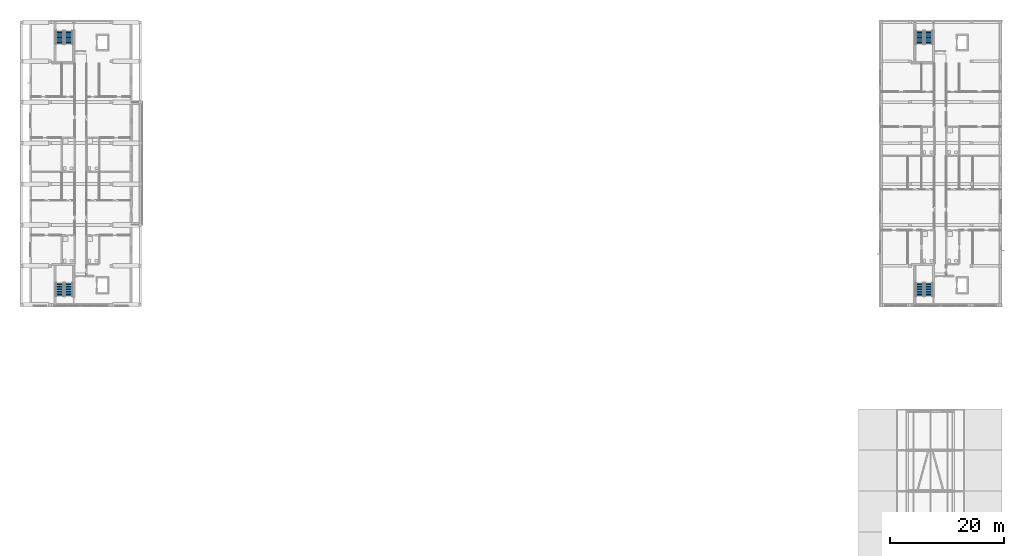
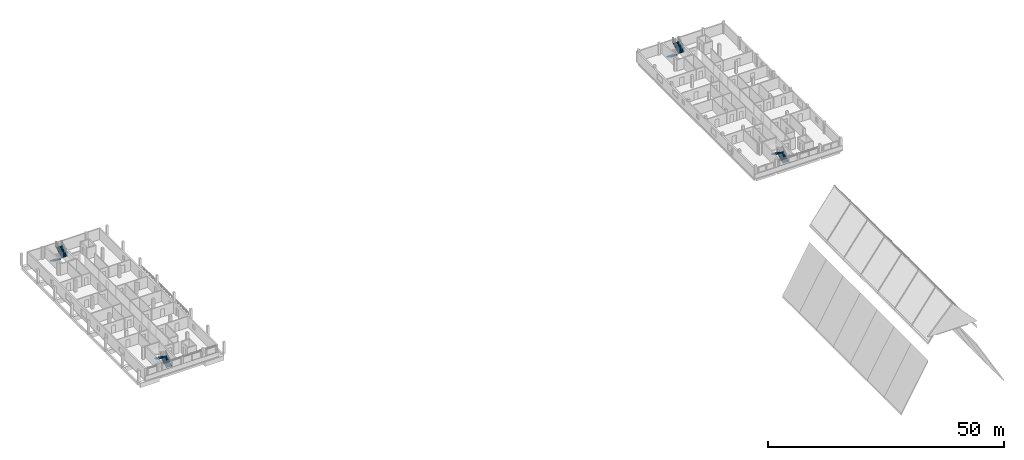
# One storey, part 19 of 29: 8 stair flights, 4 elements without a shape of their own.
"""IFC4 building model written with IfcOpenShell, lengths in metres."""

from ifc_helpers import new_model, si_unit, derived_unit, direction, frame, origin, place, context, subcontext, project, spatial, polyline, outline, extrude, material, type_object, element, aggregate, save


model = new_model("IFC4")

# Units and contexts
model_context = context("Model", 3, precision=1e-05, world=origin(), true_north=direction((0.0, 1.0)))
body_context = subcontext(model_context, "Body", "Model", "MODEL_VIEW")
ifc_project = project(units=[si_unit("LENGTHUNIT", "METRE"), si_unit("AREAUNIT", "SQUARE_METRE"), si_unit("VOLUMEUNIT", "CUBIC_METRE"), si_unit("PLANEANGLEUNIT", "RADIAN"), si_unit("MASSUNIT", "GRAM", prefix="KILO"), derived_unit("THERMALTRANSMITTANCEUNIT", [(si_unit("MASSUNIT", "GRAM", prefix="KILO"), 1), (si_unit("TIMEUNIT", "SECOND"), -3), (si_unit("THERMODYNAMICTEMPERATUREUNIT", "KELVIN"), -1)])], contexts=[model_context])

# Site, building, storey
site_placement = place(None, origin())
site = spatial("IfcSite", under=ifc_project, at=site_placement, CompositionType="ELEMENT")
building_placement = place(site_placement, origin())
building = spatial("IfcBuilding", under=site, at=building_placement, Name="Ochrekiln Boulevard Commons", CompositionType="ELEMENT")
storey_placement = place(building_placement, frame((0.0, 0.0, 37.27490234375)))
storey = spatial("IfcBuildingStorey", under=building, at=storey_placement, Name="L11", CompositionType="ELEMENT", Elevation=37.27490234375)

# Stair, stair flights
ifc_material = material(Name="Concrete C35/45", Category="concrete")
stair_type = type_object("IfcStairType", Name="STR-DL-315", PredefinedType="TWO_STRAIGHT_RUN_STAIR", material=ifc_material)
stair_1_placement = place(storey_placement, origin())
stair_1 = element("IfcStair", 1, at=stair_1_placement, inside=storey, type_object=stair_type, Name="L11 Enclosed Exit Stair ST-A1", PredefinedType="TWO_STRAIGHT_RUN_STAIR")
stair_flight_type = type_object("IfcStairFlightType", Name="SFL-ST-315", PredefinedType="STRAIGHT", material=ifc_material)
stair_flight_1_placement = place(storey_placement, frame((8.699951171875, 70.27001953125, 0.0), z_axis=(0.0, 0.0, 1.0), x_axis=(0.0, 1.0, 0.0)))
stair_flight_1 = element("IfcStairFlight", 2, at=stair_flight_1_placement, type_object=stair_flight_type, Name="ST-A1 flight 1", NumberOfRisers=9, NumberOfTreads=8, PredefinedType="STRAIGHT", RiserHeight=0.175, TreadLength=0.29, context=body_context, shape_type="SweptSolid", body=[
    extrude(outline(polyline([(0.0, 0.0), (0.0, 0.175048828125), (0.2900390625, 0.175048828125), (0.2900390625, 0.35009765625), (0.580078125, 0.35009765625), (0.580078125, 0.52490234375), (0.8701171875, 0.52490234375), (0.8701171875, 0.699951171875), (1.159912109375, 0.699951171875), (1.159912109375, 0.875), (1.449951171875, 0.875), (1.449951171875, 1.050048828125), (1.739990234375, 1.050048828125), (1.739990234375, 1.22509765625), (2.030029296875, 1.22509765625), (2.030029296875, 1.39990234375), (2.320068359375, 1.39990234375), (2.320068359375, 1.574951171875), (2.320068359375, 1.213134765625), (0.3095703125, 0.0), (0.0, 0.0)])), frame((0.0, 0.699951171875, 0.0), z_axis=(0.0, -1.0, 0.0), x_axis=(1.0, 0.0, 0.0)), (0.0, 0.0, 1.0), 1.39990234375),
])
stair_flight_2_placement = place(storey_placement, frame((7.10009765625, 72.590087890625, 1.5751953125), z_axis=(0.0, 0.0, 1.0), x_axis=(0.0, -1.0, 0.0)))
stair_flight_2 = element("IfcStairFlight", 3, at=stair_flight_2_placement, type_object=stair_flight_type, Name="ST-A1 flight 2", NumberOfRisers=9, NumberOfTreads=8, PredefinedType="STRAIGHT", RiserHeight=0.175, TreadLength=0.29, context=body_context, shape_type="SweptSolid", body=[
    extrude(outline(polyline([(0.0, 0.0), (0.0, 0.175048828125), (0.2900390625, 0.175048828125), (0.2900390625, 0.35009765625), (0.580078125, 0.35009765625), (0.580078125, 0.52490234375), (0.8701171875, 0.52490234375), (0.8701171875, 0.699951171875), (1.159912109375, 0.699951171875), (1.159912109375, 0.875), (1.449951171875, 0.875), (1.449951171875, 1.050048828125), (1.739990234375, 1.050048828125), (1.739990234375, 1.22509765625), (2.030029296875, 1.22509765625), (2.030029296875, 1.39990234375), (2.320068359375, 1.39990234375), (2.320068359375, 1.574951171875), (2.320068359375, 1.213134765625), (0.3095703125, 0.0), (0.0, 0.0)])), frame((0.0, 0.699951171875, 0.0), z_axis=(0.0, -1.0, 0.0), x_axis=(1.0, 0.0, 0.0)), (0.0, 0.0, 1.0), 1.39990234375),
])
aggregate(stair_1, [stair_flight_1, stair_flight_2])

stair_2_placement = place(storey_placement, origin())
stair_2 = element("IfcStair", 4, at=stair_2_placement, inside=storey, type_object=stair_type, Name="L11 Enclosed Exit Stair ST-A2", PredefinedType="TWO_STRAIGHT_RUN_STAIR")
stair_flight_3_placement = place(storey_placement, frame((7.10009765625, 116.929931640625, 0.0), z_axis=(0.0, 0.0, 1.0), x_axis=(0.0, -1.0, 0.0)))
stair_flight_3 = element("IfcStairFlight", 5, at=stair_flight_3_placement, type_object=stair_flight_type, Name="ST-A2 flight 1", NumberOfRisers=9, NumberOfTreads=8, PredefinedType="STRAIGHT", RiserHeight=0.175, TreadLength=0.29, context=body_context, shape_type="SweptSolid", body=[
    extrude(outline(polyline([(0.0, 0.0), (0.0, 0.175048828125), (0.2900390625, 0.175048828125), (0.2900390625, 0.35009765625), (0.580078125, 0.35009765625), (0.580078125, 0.52490234375), (0.8701171875, 0.52490234375), (0.8701171875, 0.699951171875), (1.159912109375, 0.699951171875), (1.159912109375, 0.875), (1.449951171875, 0.875), (1.449951171875, 1.050048828125), (1.739990234375, 1.050048828125), (1.739990234375, 1.22509765625), (2.030029296875, 1.22509765625), (2.030029296875, 1.39990234375), (2.320068359375, 1.39990234375), (2.320068359375, 1.574951171875), (2.320068359375, 1.213134765625), (0.3095703125, 0.0), (0.0, 0.0)])), frame((0.0, 0.699951171875, 0.0), z_axis=(0.0, -1.0, 0.0), x_axis=(1.0, 0.0, 0.0)), (0.0, 0.0, 1.0), 1.39990234375),
])
stair_flight_4_placement = place(storey_placement, frame((8.699951171875, 114.610107421875, 1.5751953125), z_axis=(0.0, 0.0, 1.0), x_axis=(0.0, 1.0, 0.0)))
stair_flight_4 = element("IfcStairFlight", 6, at=stair_flight_4_placement, type_object=stair_flight_type, Name="ST-A2 flight 2", NumberOfRisers=9, NumberOfTreads=8, PredefinedType="STRAIGHT", RiserHeight=0.175, TreadLength=0.29, context=body_context, shape_type="SweptSolid", body=[
    extrude(outline(polyline([(0.0, 0.0), (0.0, 0.175048828125), (0.2900390625, 0.175048828125), (0.2900390625, 0.35009765625), (0.580078125, 0.35009765625), (0.580078125, 0.52490234375), (0.8701171875, 0.52490234375), (0.8701171875, 0.699951171875), (1.159912109375, 0.699951171875), (1.159912109375, 0.875), (1.449951171875, 0.875), (1.449951171875, 1.050048828125), (1.739990234375, 1.050048828125), (1.739990234375, 1.22509765625), (2.030029296875, 1.22509765625), (2.030029296875, 1.39990234375), (2.320068359375, 1.39990234375), (2.320068359375, 1.574951171875), (2.320068359375, 1.213134765625), (0.3095703125, 0.0), (0.0, 0.0)])), frame((0.0, 0.699951171875, 0.0), z_axis=(0.0, -1.0, 0.0), x_axis=(1.0, 0.0, 0.0)), (0.0, 0.0, 1.0), 1.39990234375),
])
aggregate(stair_2, [stair_flight_3, stair_flight_4])

stair_3_placement = place(storey_placement, origin())
stair_3 = element("IfcStair", 7, at=stair_3_placement, inside=storey, type_object=stair_type, Name="L11 Enclosed Exit Stair ST-B1", PredefinedType="TWO_STRAIGHT_RUN_STAIR")
stair_flight_5_placement = place(storey_placement, frame((159.89990234375, 70.27001953125, 0.0), z_axis=(0.0, 0.0, 1.0), x_axis=(0.0, 1.0, 0.0)))
stair_flight_5 = element("IfcStairFlight", 8, at=stair_flight_5_placement, type_object=stair_flight_type, Name="ST-B1 flight 1", NumberOfRisers=9, NumberOfTreads=8, PredefinedType="STRAIGHT", RiserHeight=0.175, TreadLength=0.29, context=body_context, shape_type="SweptSolid", body=[
    extrude(outline(polyline([(0.0, 0.0), (0.0, 0.175048828125), (0.2900390625, 0.175048828125), (0.2900390625, 0.35009765625), (0.580078125, 0.35009765625), (0.580078125, 0.52490234375), (0.8701171875, 0.52490234375), (0.8701171875, 0.699951171875), (1.159912109375, 0.699951171875), (1.159912109375, 0.875), (1.449951171875, 0.875), (1.449951171875, 1.050048828125), (1.739990234375, 1.050048828125), (1.739990234375, 1.22509765625), (2.030029296875, 1.22509765625), (2.030029296875, 1.39990234375), (2.320068359375, 1.39990234375), (2.320068359375, 1.574951171875), (2.320068359375, 1.213134765625), (0.3095703125, 0.0), (0.0, 0.0)])), frame((0.0, 0.699951171875, 0.0), z_axis=(0.0, -1.0, 0.0), x_axis=(1.0, 0.0, 0.0)), (0.0, 0.0, 1.0), 1.39990234375),
])
stair_flight_6_placement = place(storey_placement, frame((158.300048828125, 72.590087890625, 1.5751953125), z_axis=(0.0, 0.0, 1.0), x_axis=(0.0, -1.0, 0.0)))
stair_flight_6 = element("IfcStairFlight", 9, at=stair_flight_6_placement, type_object=stair_flight_type, Name="ST-B1 flight 2", NumberOfRisers=9, NumberOfTreads=8, PredefinedType="STRAIGHT", RiserHeight=0.175, TreadLength=0.29, context=body_context, shape_type="SweptSolid", body=[
    extrude(outline(polyline([(0.0, 0.0), (0.0, 0.175048828125), (0.2900390625, 0.175048828125), (0.2900390625, 0.35009765625), (0.580078125, 0.35009765625), (0.580078125, 0.52490234375), (0.8701171875, 0.52490234375), (0.8701171875, 0.699951171875), (1.159912109375, 0.699951171875), (1.159912109375, 0.875), (1.449951171875, 0.875), (1.449951171875, 1.050048828125), (1.739990234375, 1.050048828125), (1.739990234375, 1.22509765625), (2.030029296875, 1.22509765625), (2.030029296875, 1.39990234375), (2.320068359375, 1.39990234375), (2.320068359375, 1.574951171875), (2.320068359375, 1.213134765625), (0.3095703125, 0.0), (0.0, 0.0)])), frame((0.0, 0.699951171875, 0.0), z_axis=(0.0, -1.0, 0.0), x_axis=(1.0, 0.0, 0.0)), (0.0, 0.0, 1.0), 1.39990234375),
])
aggregate(stair_3, [stair_flight_5, stair_flight_6])

stair_4_placement = place(storey_placement, origin())
stair_4 = element("IfcStair", 10, at=stair_4_placement, inside=storey, type_object=stair_type, Name="L11 Enclosed Exit Stair ST-B2", PredefinedType="TWO_STRAIGHT_RUN_STAIR")
stair_flight_7_placement = place(storey_placement, frame((158.300048828125, 116.929931640625, 0.0), z_axis=(0.0, 0.0, 1.0), x_axis=(0.0, -1.0, 0.0)))
stair_flight_7 = element("IfcStairFlight", 11, at=stair_flight_7_placement, type_object=stair_flight_type, Name="ST-B2 flight 1", NumberOfRisers=9, NumberOfTreads=8, PredefinedType="STRAIGHT", RiserHeight=0.175, TreadLength=0.29, context=body_context, shape_type="SweptSolid", body=[
    extrude(outline(polyline([(0.0, 0.0), (0.0, 0.175048828125), (0.2900390625, 0.175048828125), (0.2900390625, 0.35009765625), (0.580078125, 0.35009765625), (0.580078125, 0.52490234375), (0.8701171875, 0.52490234375), (0.8701171875, 0.699951171875), (1.159912109375, 0.699951171875), (1.159912109375, 0.875), (1.449951171875, 0.875), (1.449951171875, 1.050048828125), (1.739990234375, 1.050048828125), (1.739990234375, 1.22509765625), (2.030029296875, 1.22509765625), (2.030029296875, 1.39990234375), (2.320068359375, 1.39990234375), (2.320068359375, 1.574951171875), (2.320068359375, 1.213134765625), (0.3095703125, 0.0), (0.0, 0.0)])), frame((0.0, 0.699951171875, 0.0), z_axis=(0.0, -1.0, 0.0), x_axis=(1.0, 0.0, 0.0)), (0.0, 0.0, 1.0), 1.39990234375),
])
stair_flight_8_placement = place(storey_placement, frame((159.89990234375, 114.610107421875, 1.5751953125), z_axis=(0.0, 0.0, 1.0), x_axis=(0.0, 1.0, 0.0)))
stair_flight_8 = element("IfcStairFlight", 12, at=stair_flight_8_placement, type_object=stair_flight_type, Name="ST-B2 flight 2", NumberOfRisers=9, NumberOfTreads=8, PredefinedType="STRAIGHT", RiserHeight=0.175, TreadLength=0.29, context=body_context, shape_type="SweptSolid", body=[
    extrude(outline(polyline([(0.0, 0.0), (0.0, 0.175048828125), (0.2900390625, 0.175048828125), (0.2900390625, 0.35009765625), (0.580078125, 0.35009765625), (0.580078125, 0.52490234375), (0.8701171875, 0.52490234375), (0.8701171875, 0.699951171875), (1.159912109375, 0.699951171875), (1.159912109375, 0.875), (1.449951171875, 0.875), (1.449951171875, 1.050048828125), (1.739990234375, 1.050048828125), (1.739990234375, 1.22509765625), (2.030029296875, 1.22509765625), (2.030029296875, 1.39990234375), (2.320068359375, 1.39990234375), (2.320068359375, 1.574951171875), (2.320068359375, 1.213134765625), (0.3095703125, 0.0), (0.0, 0.0)])), frame((0.0, 0.699951171875, 0.0), z_axis=(0.0, -1.0, 0.0), x_axis=(1.0, 0.0, 0.0)), (0.0, 0.0, 1.0), 1.39990234375),
])
aggregate(stair_4, [stair_flight_7, stair_flight_8])

save(model, "model.ifc")
